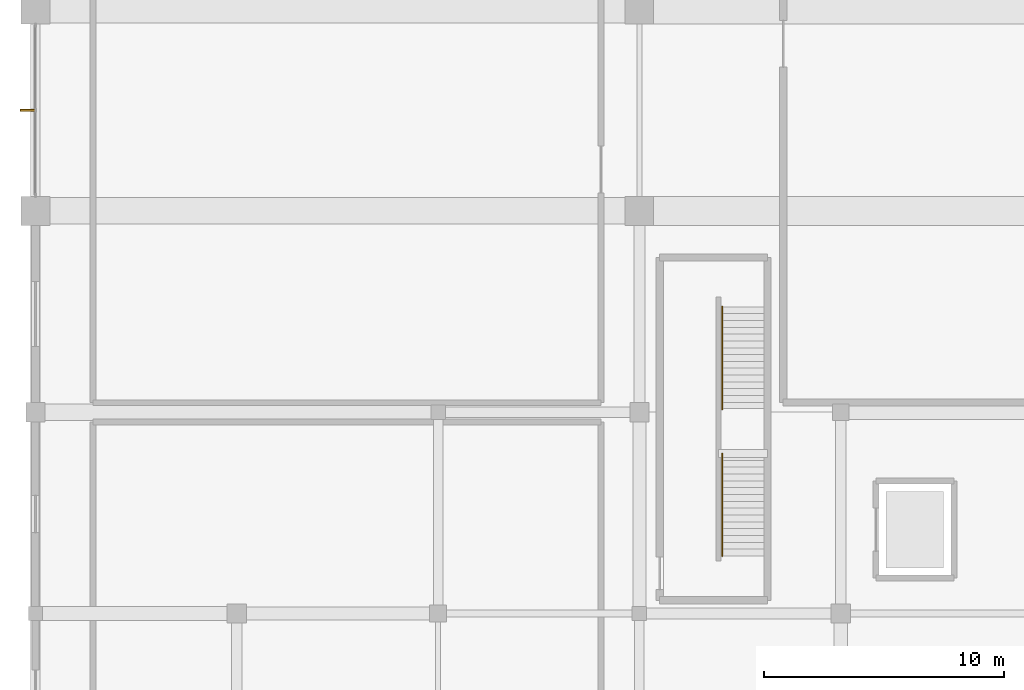
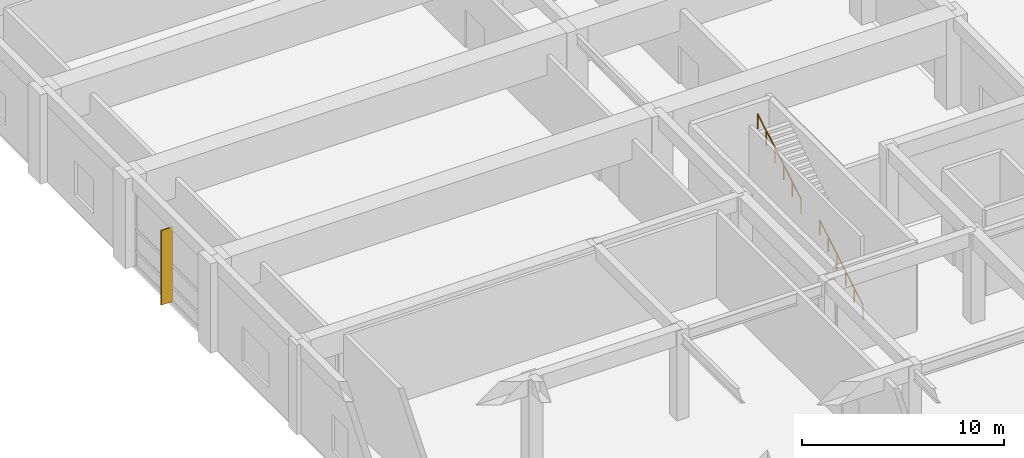
# One storey, part 53 of 62: 2 railings, 1 shading device.
"""IFC4 building model written with IfcOpenShell, lengths in metres."""

from ifc_helpers import new_model, si_unit, direction, frame, origin, origin_2d, place, context, subcontext, project, spatial, rectangle, circle, extrude, material, type_object, element, save


model = new_model("IFC4")

# Units and contexts
model_context = context("Model", 3, precision=1e-05, world=origin(), true_north=direction((0.0, 1.0)))
body_context = subcontext(model_context, "Body", "Model", "MODEL_VIEW")
ifc_project = project(units=[si_unit("LENGTHUNIT", "METRE"), si_unit("AREAUNIT", "SQUARE_METRE"), si_unit("VOLUMEUNIT", "CUBIC_METRE"), si_unit("PLANEANGLEUNIT", "RADIAN"), si_unit("MASSUNIT", "GRAM", prefix="KILO")], contexts=[model_context])

# Site, building, storey
site_placement = place(None, origin())
site = spatial("IfcSite", under=ifc_project, at=site_placement, CompositionType="ELEMENT")
building_placement = place(site_placement, origin())
building = spatial("IfcBuilding", under=site, at=building_placement, Name="Xuanlan Plaza Opera House", CompositionType="ELEMENT")
storey_placement = place(building_placement, origin())
storey = spatial("IfcBuildingStorey", under=building, at=storey_placement, Name="L00", CompositionType="ELEMENT", Elevation=0.0)

# Shading device
ifc_material_1 = material(Name="Anodised Aluminium 6063-T6", Category="aluminium")
shading_device_type = type_object("IfcShadingDeviceType", Name="ENV-SHD-BRS01", PredefinedType="JALOUSIE", material=ifc_material_1)
shading_device_placement = place(storey_placement, frame((-0.324951171875, 54.60009765625, 0.0400390625), z_axis=(0.0, 0.0, 1.0), x_axis=(-1.0, 0.0, 0.0)))
element("IfcShadingDevice", 1, at=shading_device_placement, inside=storey, type_object=shading_device_type, Name="Parametric Sunshade Fin L00-0033", PredefinedType="JALOUSIE", context=body_context, shape_type="SweptSolid", body=[
    extrude(rectangle(XDim=0.639892578125, YDim=0.070068359375, at=origin_2d()), origin(), (0.0, 0.0, 1.0), 4.5),
])

# Railings
ifc_material_2 = material(Name="Stainless Steel S30408", Category="steel")
railing_type = type_object("IfcRailingType", Name="INT-RL-HR01", PredefinedType="HANDRAIL", material=ifc_material_2)
for number, where, name in (
    (2, (28.659912109375, 36.0, 0.168701171875), "Stair Handrail ST-P1 L00 Flight 1"),
    (3, (28.659912109375, 42.125, 2.86865234375), "Stair Handrail ST-P1 L00 Flight 2"),
):
    element("IfcRailing", number, at=place(storey_placement, frame(where)), inside=storey, type_object=railing_type, Name=name, PredefinedType="HANDRAIL", context=body_context, shape_type="SweptSolid", body=[
        extrude(circle(Radius=0.02392578125, at=origin_2d()), frame((0.0, 0.0, 0.8759765625), z_axis=(0.0, 0.860470286479, 0.509500624227), x_axis=(-1.0, 0.0, 0.0)), (0.0, 0.0, 1.0), 4.968017578125),
        extrude(circle(Radius=0.02099609375, at=origin_2d()), origin(), (0.0, 0.0, 1.0), 0.851806640625),
        extrude(circle(Radius=0.02099609375, at=origin_2d()), frame((0.0, 0.85498046875, 0.50634765625)), (0.0, 0.0, 1.0), 0.851806640625),
        extrude(circle(Radius=0.02099609375, at=origin_2d()), frame((0.0, 1.7099609375, 1.012451171875)), (0.0, 0.0, 1.0), 0.851806640625),
        extrude(circle(Radius=0.02099609375, at=origin_2d()), frame((0.0, 2.56494140625, 1.518798828125)), (0.0, 0.0, 1.0), 0.851806640625),
        extrude(circle(Radius=0.02099609375, at=origin_2d()), frame((0.0, 3.419921875, 2.02490234375)), (0.0, 0.0, 1.0), 0.851806640625),
        extrude(circle(Radius=0.02099609375, at=origin_2d()), frame((0.0, 4.27490234375, 2.53125)), (0.0, 0.0, 1.0), 0.851806640625),
    ])

save(model, "model.ifc")
